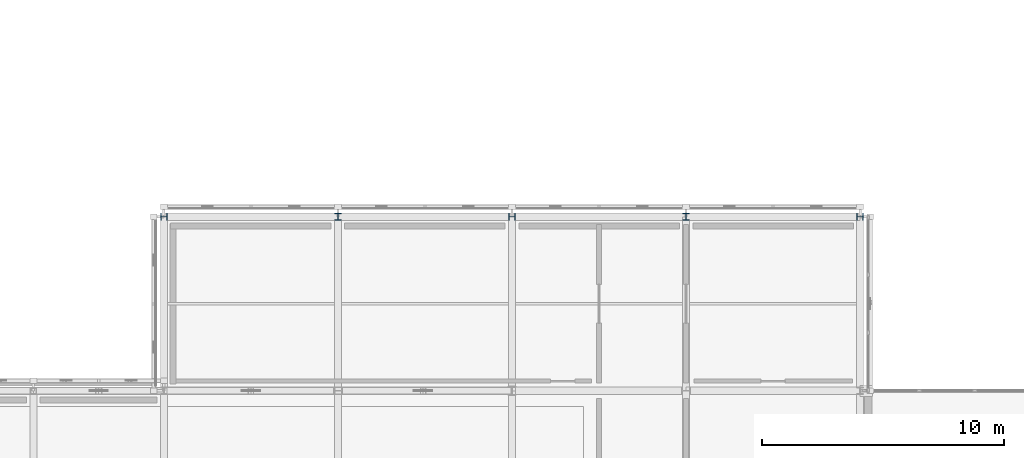
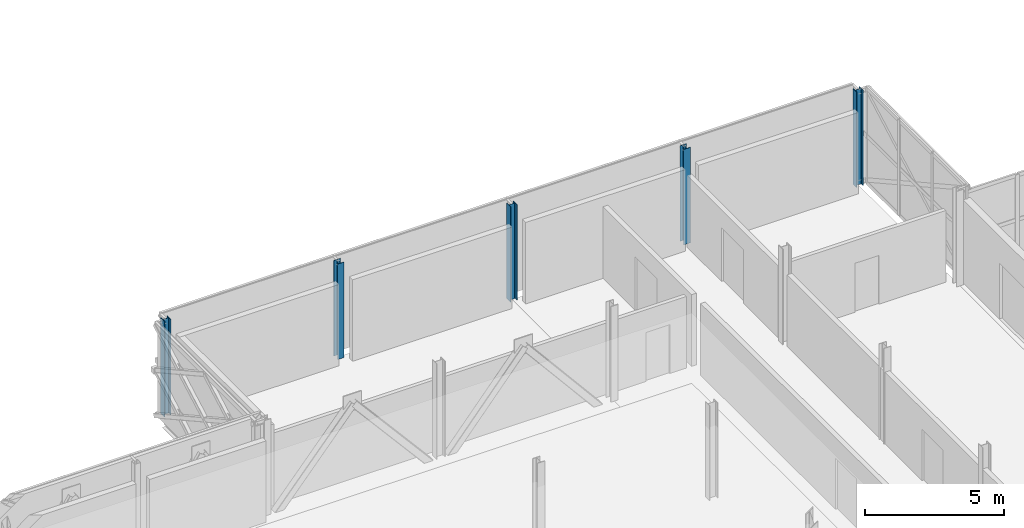
# One storey, part 8 of 103: 5 columns.
"""IFC4 building model written with IfcOpenShell, lengths in metres."""

from ifc_helpers import new_model, si_unit, direction, frame, origin, origin_2d, place, context, subcontext, project, spatial, i_section, extrude, material, material_profile, profile_set, type_object, element, save


model = new_model("IFC4")

# Units and contexts
model_context = context("Model", 3, precision=1e-05, world=origin(), true_north=direction((0.0, 1.0)))
body_context = subcontext(model_context, "Body", "Model", "MODEL_VIEW")
ifc_project = project(units=[si_unit("LENGTHUNIT", "METRE"), si_unit("AREAUNIT", "SQUARE_METRE"), si_unit("VOLUMEUNIT", "CUBIC_METRE"), si_unit("PLANEANGLEUNIT", "RADIAN"), si_unit("MASSUNIT", "GRAM", prefix="KILO")], contexts=[model_context])

# Site, building, storey
site_placement = place(None, origin())
site = spatial("IfcSite", under=ifc_project, at=site_placement, CompositionType="ELEMENT")
building_placement = place(site_placement, origin())
building = spatial("IfcBuilding", under=site, at=building_placement, Name="Zlatovets Crest Museum", CompositionType="ELEMENT")
storey_placement = place(building_placement, frame((0.0, 0.0, 12.89990234375)))
storey = spatial("IfcBuildingStorey", under=building, at=storey_placement, Name="L03", CompositionType="ELEMENT", Elevation=12.89990234375)

# Columns
ifc_material = material(Name="Structural steel S355J2", Category="steel")
ifc_material_profile = material_profile(ifc_material, i_section(OverallWidth=0.280029296875, OverallDepth=0.280029296875, WebThickness=0.010498046875, FlangeThickness=0.01806640625, FilletRadius=0.02392578125, at=origin_2d()), Name="HEB 280")
ifc_profile_set = profile_set([ifc_material_profile], Name="Structural steel S355J2")
column_type = type_object("IfcColumnType", Name="Col_C-17", PredefinedType="COLUMN", material=ifc_profile_set)
for number, where, z_axis, x_axis, name in (
    (1, (7.199951171875, 100.800048828125, 0.0), (0.0, 0.0, 1.0), (0.0, 1.0, 0.0), "V4 L03 Column (7.2, 100.8)"),
    (2, (14.39990234375, 100.800048828125, 0.0), (0.0, 0.0, 1.0), (1.0, 0.0, 0.0), "V4 L03 Column (14.4, 100.8)"),
    (3, (21.60009765625, 100.800048828125, 0.0), (0.0, 0.0, 1.0), (0.0, 1.0, 0.0), "V4 L03 Column (21.6, 100.8)"),
    (4, (28.800048828125, 100.800048828125, 0.0), (0.0, 0.0, 1.0), (1.0, 0.0, 0.0), "V4 L03 Column (28.8, 100.8)"),
    (5, (36.0, 100.800048828125, 0.0), (0.0, 0.0, 1.0), (0.0, 1.0, 0.0), "V4 L03 Column (36.0, 100.8)"),
):
    element("IfcColumn", number, at=place(storey_placement, frame(where, z_axis=z_axis, x_axis=x_axis)), inside=storey, type_object=column_type, Name=name, PredefinedType="COLUMN", context=body_context, shape_type="SweptSolid", body=[
        extrude(i_section(OverallWidth=0.280029296875, OverallDepth=0.280029296875, WebThickness=0.010498046875, FlangeThickness=0.01806640625, FilletRadius=0.02392578125, at=origin_2d()), origin(), (0.0, 0.0, 1.0), 4.2001953125),
    ])

save(model, "model.ifc")
